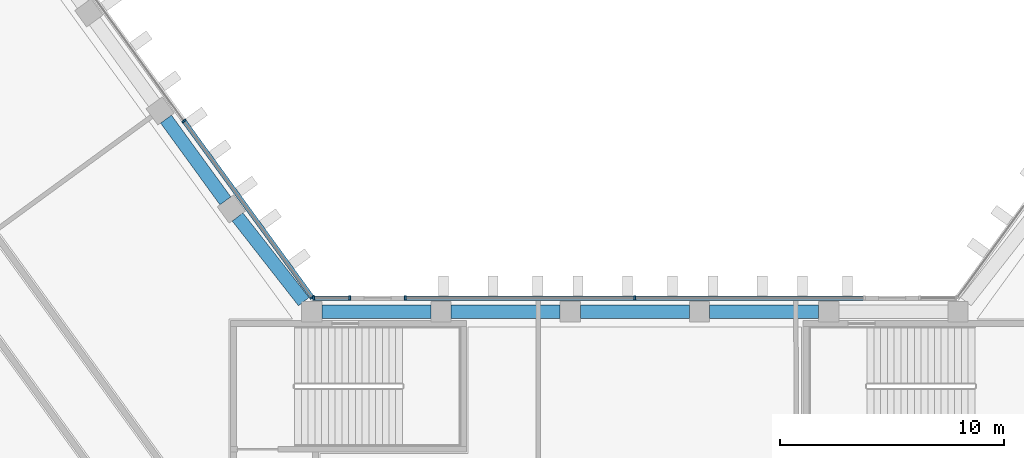
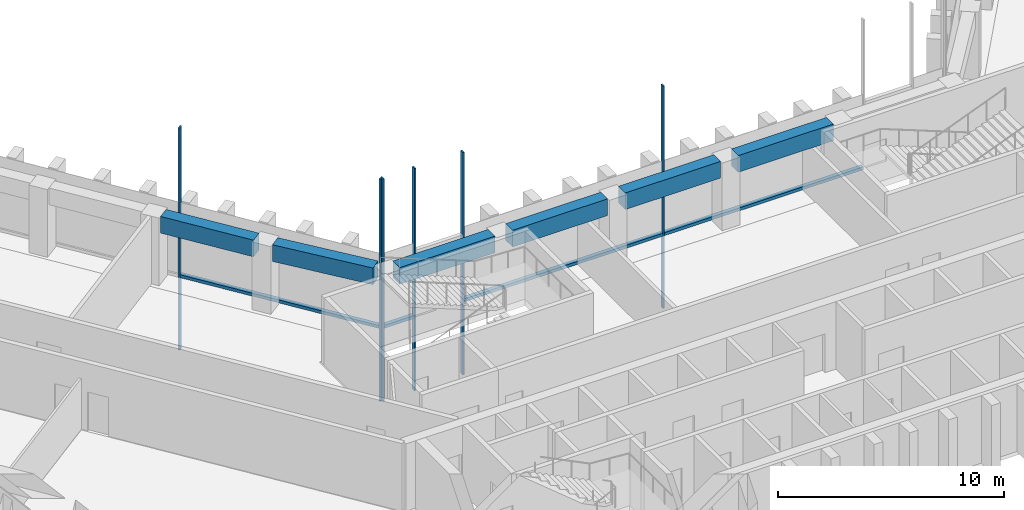
# One storey, part 3 of 17: 10 members, 6 beams, 3 elements without a shape of their own.
"""IFC4 building model written with IfcOpenShell, lengths in metres."""

from ifc_helpers import new_model, si_unit, direction, frame, origin, origin_2d, place, context, subcontext, project, spatial, rectangle, extrude, material, material_profile, profile_set, type_object, element, aggregate, save


model = new_model("IFC4")

# Units and contexts
model_context = context("Model", 3, precision=1e-05, world=origin(), true_north=direction((0.0, 1.0)))
body_context = subcontext(model_context, "Body", "Model", "MODEL_VIEW")
ifc_project = project(units=[si_unit("LENGTHUNIT", "METRE"), si_unit("AREAUNIT", "SQUARE_METRE"), si_unit("VOLUMEUNIT", "CUBIC_METRE"), si_unit("PLANEANGLEUNIT", "RADIAN"), si_unit("MASSUNIT", "GRAM", prefix="KILO")], contexts=[model_context])

# Site, building, storey
site_placement = place(None, origin())
site = spatial("IfcSite", under=ifc_project, at=site_placement, CompositionType="ELEMENT")
building_placement = place(site_placement, origin())
building = spatial("IfcBuilding", under=site, at=building_placement, Name="Quipu Civic Tower", CompositionType="ELEMENT")
storey_placement = place(building_placement, frame((0.0, 0.0, 101.0)))
storey = spatial("IfcBuildingStorey", under=building, at=storey_placement, Name="L23", CompositionType="ELEMENT", Elevation=101.0)

# Curtain wall, members
ifc_material_1 = material(Name="Insulated glass unit", Category="glass")
curtain_wall_type = type_object("IfcCurtainWallType", Name="Office curtain wall CW1", PredefinedType="NOTDEFINED", material=ifc_material_1)
curtain_wall_1_placement = place(storey_placement, origin())
curtain_wall_1 = element("IfcCurtainWall", 1, at=curtain_wall_1_placement, inside=storey, type_object=curtain_wall_type, Name="Office curtain wall CW1 L22 run 10", PredefinedType="NOTDEFINED")
ifc_material_2 = material(Name="Anodised aluminium", Category="aluminium")
ifc_material_profile_1 = material_profile(ifc_material_2, rectangle(XDim=0.199951171875, YDim=0.080078125, at=origin_2d()), Name="RECT 200x80")
ifc_profile_set_1 = profile_set([ifc_material_profile_1], Name="Anodised aluminium")
member_type_1 = type_object("IfcMemberType", Name="Mullion CW1", PredefinedType="MULLION", material=ifc_profile_set_1)
member_1_placement = place(storey_placement, frame((-14.36767578125, 11.13232421875, -3.919921875), z_axis=(0.0, 0.0, 1.0), x_axis=(-0.809016532822, -0.587785887566, 0.0)))
member_1 = element("IfcMember", 2, at=member_1_placement, type_object=member_type_1, Name="CW1 mullion 1", PredefinedType="MULLION", context=body_context, shape_type="SweptSolid", body=[
    extrude(rectangle(XDim=0.199951171875, YDim=0.080078125, at=origin_2d()), origin(), (0.0, 0.0, 1.0), 12.0),
])
member_2_placement = place(storey_placement, frame((-20.08154296875, 18.996826171875, -3.919921875), z_axis=(0.0, 0.0, 1.0), x_axis=(-0.809016532822, -0.587785887566, 0.0)))
member_2 = element("IfcMember", 3, at=member_2_placement, type_object=member_type_1, Name="CW1 mullion 2", PredefinedType="MULLION", context=body_context, shape_type="SweptSolid", body=[
    extrude(rectangle(XDim=0.199951171875, YDim=0.080078125, at=origin_2d()), origin(), (0.0, 0.0, 1.0), 12.0),
])

curtain_wall_2_placement = place(storey_placement, origin())
curtain_wall_2 = element("IfcCurtainWall", 4, at=curtain_wall_2_placement, inside=storey, type_object=curtain_wall_type, Name="Office curtain wall CW1 L22 run 39", PredefinedType="NOTDEFINED")
member_3_placement = place(storey_placement, frame((0.0, 11.10009765625, -3.919921875), z_axis=(0.0, 0.0, 1.0), x_axis=(0.0, -1.0, 0.0)))
member_3 = element("IfcMember", 5, at=member_3_placement, type_object=member_type_1, Name="CW1 mullion 2", PredefinedType="MULLION", context=body_context, shape_type="SweptSolid", body=[
    extrude(rectangle(XDim=0.199951171875, YDim=0.080078125, at=origin_2d()), origin(), (0.0, 0.0, 1.0), 12.0),
])
member_4_placement = place(storey_placement, frame((-10.223388671875, 11.10009765625, -3.919921875), z_axis=(0.0, 0.0, 1.0), x_axis=(0.0, -1.0, 0.0)))
member_4 = element("IfcMember", 6, at=member_4_placement, type_object=member_type_1, Name="CW1 mullion 3", PredefinedType="MULLION", context=body_context, shape_type="SweptSolid", body=[
    extrude(rectangle(XDim=0.199951171875, YDim=0.080078125, at=origin_2d()), origin(), (0.0, 0.0, 1.0), 12.0),
])

curtain_wall_3_placement = place(storey_placement, origin())
curtain_wall_3 = element("IfcCurtainWall", 7, at=curtain_wall_3_placement, inside=storey, type_object=curtain_wall_type, Name="Office curtain wall CW1 L22 run 41", PredefinedType="NOTDEFINED")
member_5_placement = place(storey_placement, frame((-12.695068359375, 11.10009765625, -3.919921875), z_axis=(0.0, 0.0, 1.0), x_axis=(0.0, -1.0, 0.0)))
member_5 = element("IfcMember", 8, at=member_5_placement, type_object=member_type_1, Name="CW1 mullion 1", PredefinedType="MULLION", context=body_context, shape_type="SweptSolid", body=[
    extrude(rectangle(XDim=0.199951171875, YDim=0.080078125, at=origin_2d()), origin(), (0.0, 0.0, 1.0), 12.0),
])
member_6_placement = place(storey_placement, frame((-14.30419921875, 11.10009765625, -3.919921875), z_axis=(0.0, 0.0, 1.0), x_axis=(0.0, -1.0, 0.0)))
member_6 = element("IfcMember", 9, at=member_6_placement, type_object=member_type_1, Name="CW1 mullion 2", PredefinedType="MULLION", context=body_context, shape_type="SweptSolid", body=[
    extrude(rectangle(XDim=0.199951171875, YDim=0.080078125, at=origin_2d()), origin(), (0.0, 0.0, 1.0), 12.0),
])

# Beams
ifc_material_3 = material(Name="Concrete C50/60", Category="concrete")
ifc_material_profile_2 = material_profile(ifc_material_3, rectangle(XDim=0.60009765625, YDim=0.89990234375, at=origin_2d()), Name="RC600x900")
ifc_profile_set_2 = profile_set([ifc_material_profile_2], Name="Concrete C50/60")
beam_type = type_object("IfcBeamType", Name="Spandrel beam RC 600x900 C50/60", PredefinedType="SPANDREL", material=ifc_profile_set_2)
beam_1_placement = place(storey_placement, frame((-18.238037109375, 15.43896484375, 3.199951171875), z_axis=(-0.587716763865, 0.809066749701, 0.0), x_axis=(-0.809066749701, -0.587716763865, 0.0)))
element("IfcBeam", 10, at=beam_1_placement, inside=storey, type_object=beam_type, Name="Spandrel beam L23 W-IN-01 to W-IN-02", PredefinedType="SPANDREL", context=body_context, shape_type="SweptSolid", body=[
    extrude(rectangle(XDim=0.60009765625, YDim=0.89990234375, at=origin_2d()), origin(), (0.0, 0.0, 1.0), 4.5),
])
for number, where, z_axis, x_axis, name in (
    (11, (8.18701171875, 10.5, 3.199951171875), (-1.0, 0.0, 0.0), (0.0, -1.0, 0.0), "Spandrel beam L23 FRONT-01 to FRONT-02"),
    (12, (2.428955078125, 10.5, 3.199951171875), (-1.0, 0.0, 0.0), (0.0, -1.0, 0.0), "Spandrel beam L23 FRONT-02 to FRONT-03"),
    (13, (-3.3291015625, 10.5, 3.199951171875), (-1.0, 0.0, 0.0), (0.0, -1.0, 0.0), "Spandrel beam L23 FRONT-03 to FRONT-04"),
):
    element("IfcBeam", number, at=place(storey_placement, frame(where, z_axis=z_axis, x_axis=x_axis)), inside=storey, type_object=beam_type, Name=name, PredefinedType="SPANDREL", context=body_context, shape_type="SweptSolid", body=[
        extrude(rectangle(XDim=0.60009765625, YDim=0.89990234375, at=origin_2d()), origin(), (0.0, 0.0, 1.0), 4.85791015625),
    ])
beam_2_placement = place(storey_placement, frame((-9.087158203125, 10.5, 3.199951171875), z_axis=(-1.0, 0.0, 0.0), x_axis=(0.0, -1.0, 0.0)))
element("IfcBeam", 14, at=beam_2_placement, inside=storey, type_object=beam_type, Name="Spandrel beam L23 FRONT-04 to J-Wi.0", PredefinedType="SPANDREL", context=body_context, shape_type="SweptSolid", body=[
    extrude(rectangle(XDim=0.60009765625, YDim=0.89990234375, at=origin_2d()), origin(), (0.0, 0.0, 1.0), 4.858154296875),
])
beam_3_placement = place(storey_placement, frame((-14.7470703125, 10.949951171875, 3.199951171875), z_axis=(-0.616123961998, 0.787649200756, 0.0), x_axis=(-0.787649200756, -0.616123961998, 0.0)))
element("IfcBeam", 15, at=beam_3_placement, inside=storey, type_object=beam_type, Name="Spandrel beam L23 J-Wi.0 to W-IN-01", PredefinedType="SPANDREL", context=body_context, shape_type="SweptSolid", body=[
    extrude(rectangle(XDim=0.60009765625, YDim=0.89990234375, at=origin_2d()), origin(), (0.0, 0.0, 1.0), 4.78662109375),
])

# Member
ifc_material_4 = material(Name="Anodised aluminium", Category="aluminium")
ifc_material_profile_3 = material_profile(ifc_material_4, rectangle(XDim=0.199951171875, YDim=0.159912109375, at=origin_2d()), Name="RECT 200x160")
ifc_profile_set_3 = profile_set([ifc_material_profile_3], Name="Anodised aluminium")
member_type_2 = type_object("IfcMemberType", Name="Transom CW1", PredefinedType="USERDEFINED", material=ifc_profile_set_3)
member_7_placement = place(storey_placement, frame((-14.39111328125, 11.164794921875, 0.080078125), z_axis=(-0.58779220199, 0.809011945079, 0.0), x_axis=(-0.809011945079, -0.58779220199, 0.0)))
member_7 = element("IfcMember", 16, at=member_7_placement, type_object=member_type_2, Name="CW1 transom 1.2", ObjectType="TRANSOM", PredefinedType="USERDEFINED", context=body_context, shape_type="SweptSolid", body=[
    extrude(rectangle(XDim=0.199951171875, YDim=0.159912109375, at=origin_2d()), origin(), (0.0, 0.0, 1.0), 9.64111328125),
])

aggregate(curtain_wall_1, [member_1, member_2, member_7])

member_8_placement = place(storey_placement, frame((10.18359375, 11.10009765625, 0.080078125), z_axis=(-1.0, 0.0, 0.0), x_axis=(0.0, -1.0, 0.0)))
member_8 = element("IfcMember", 17, at=member_8_placement, type_object=member_type_2, Name="CW1 transom 1.2", ObjectType="TRANSOM", PredefinedType="USERDEFINED", context=body_context, shape_type="SweptSolid", body=[
    extrude(rectangle(XDim=0.199951171875, YDim=0.159912109375, at=origin_2d()), origin(), (0.0, 0.0, 1.0), 10.1435546875),
])

member_9_placement = place(storey_placement, frame((-0.0400390625, 11.10009765625, 0.080078125), z_axis=(-1.0, 0.0, 0.0), x_axis=(0.0, -1.0, 0.0)))
member_9 = element("IfcMember", 18, at=member_9_placement, type_object=member_type_2, Name="CW1 transom 2.2", ObjectType="TRANSOM", PredefinedType="USERDEFINED", context=body_context, shape_type="SweptSolid", body=[
    extrude(rectangle(XDim=0.199951171875, YDim=0.159912109375, at=origin_2d()), origin(), (0.0, 0.0, 1.0), 10.1435546875),
])

aggregate(curtain_wall_2, [member_3, member_4, member_8, member_9])

member_10_placement = place(storey_placement, frame((-12.735107421875, 11.10009765625, 0.080078125), z_axis=(-1.0, 0.0, 0.0), x_axis=(0.0, -1.0, 0.0)))
member_10 = element("IfcMember", 19, at=member_10_placement, type_object=member_type_2, Name="CW1 transom 1.2", ObjectType="TRANSOM", PredefinedType="USERDEFINED", context=body_context, shape_type="SweptSolid", body=[
    extrude(rectangle(XDim=0.199951171875, YDim=0.159912109375, at=origin_2d()), origin(), (0.0, 0.0, 1.0), 1.529052734375),
])

aggregate(curtain_wall_3, [member_5, member_6, member_10])

save(model, "model.ifc")
